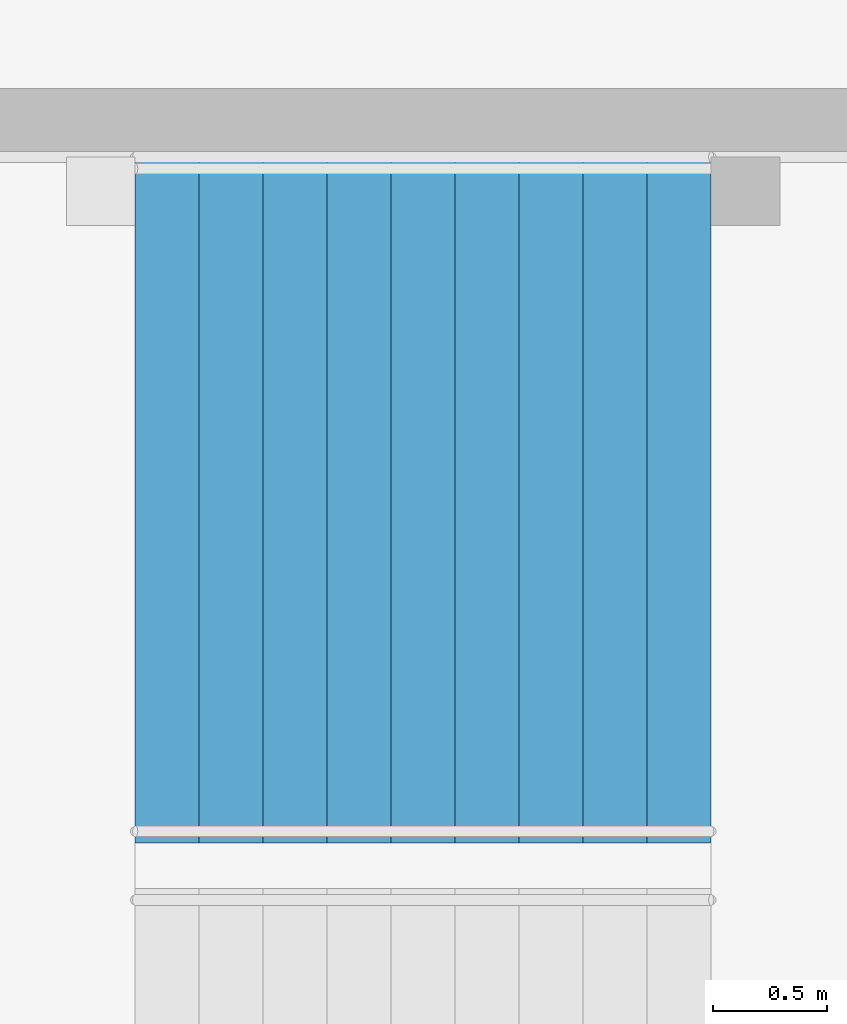
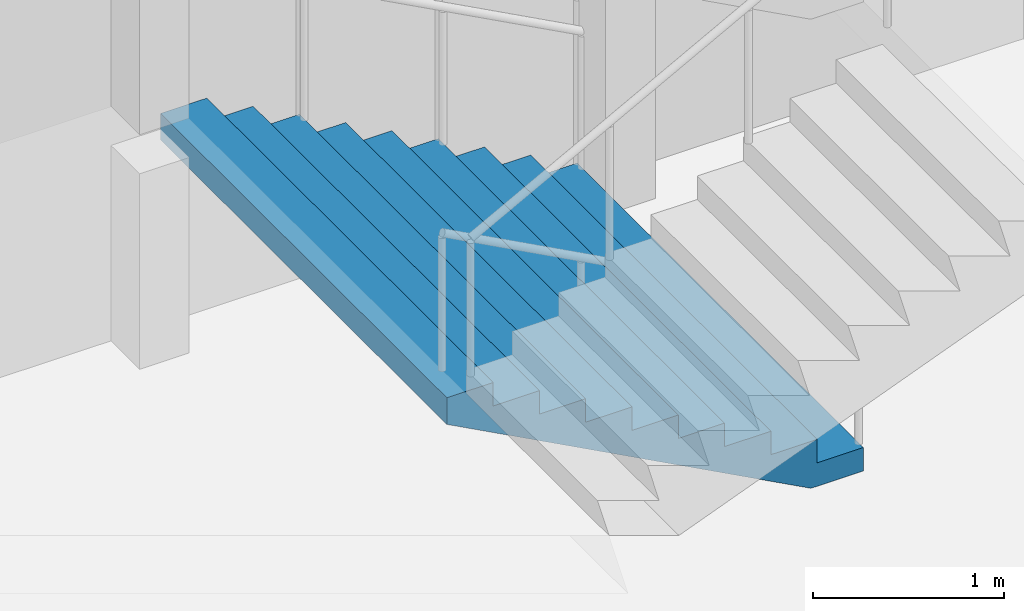
# One storey, part 82 of 100: 1 stair flight, 1 element without a shape of its own.
"""IFC4 building model written with IfcOpenShell, lengths in metres."""

from ifc_helpers import new_model, si_unit, direction, frame, origin, place, context, subcontext, project, spatial, triangles, material, type_object, element, aggregate, save


model = new_model("IFC4")

# Units and contexts
model_context = context("Model", 3, precision=1e-05, world=origin(), true_north=direction((0.0, 1.0)))
body_context = subcontext(model_context, "Body", "Model", "MODEL_VIEW")
ifc_project = project(units=[si_unit("LENGTHUNIT", "METRE"), si_unit("AREAUNIT", "SQUARE_METRE"), si_unit("VOLUMEUNIT", "CUBIC_METRE"), si_unit("PLANEANGLEUNIT", "RADIAN"), si_unit("MASSUNIT", "GRAM", prefix="KILO")], contexts=[model_context])

# Site, building, storey
site_placement = place(None, origin())
site = spatial("IfcSite", under=ifc_project, at=site_placement, CompositionType="ELEMENT")
building_placement = place(site_placement, origin())
building = spatial("IfcBuilding", under=site, at=building_placement, Name="Hakoniwa Tower and Hamabe Station Hall", CompositionType="ELEMENT")
storey_placement = place(building_placement, frame((0.0, 0.0, 9.0)))
storey = spatial("IfcBuildingStorey", under=building, at=storey_placement, Name="L02", CompositionType="ELEMENT", Elevation=9.0)

# Stair, stair flight
ifc_material_1 = material(Name="Concrete C40", Category="concrete")
stair_type = type_object("IfcStairType", Name="STAIR 3000 10X150", PredefinedType="HALF_TURN_STAIR", material=ifc_material_1)
stair_placement = place(storey_placement, origin())
stair = element("IfcStair", 1, at=stair_placement, inside=storey, type_object=stair_type, Name="Platform stair 1 L02-L03", PredefinedType="HALF_TURN_STAIR")
ifc_material_2 = material(Name="Concrete C40", Category="concrete")
stair_flight_type = type_object("IfcStairFlightType", Name="STAIR FLIGHT 3000", PredefinedType="STRAIGHT", material=ifc_material_2)
stair_flight_placement = place(storey_placement, frame((151.070068359375, -2.300048828125, 0.0), z_axis=(0.0, 0.0, 1.0), x_axis=(-1.0, 0.0, 0.0)))
stair_flight = element("IfcStairFlight", 2, at=stair_flight_placement, type_object=stair_flight_type, Name="PA1 flight 1", NumberOfRisers=10, NumberOfTreads=9, PredefinedType="STRAIGHT", RiserHeight=0.15, TreadLength=0.28, context=body_context, shape_type="Tessellation", body=[
    triangles([(0.0, 1.5, 0.0), (0.280029296875, 1.5, 0.0), (0.3173828125, 1.5, 0.0), (0.56005859375, 1.5, 0.1298828125), (0.840087890625, 1.5, 0.280029296875), (1.1201171875, 1.5, 0.429931640625), (1.39990234375, 1.5, 0.579833984375), (1.679931640625, 1.5, 0.72998046875), (1.9599609375, 1.5, 0.8798828125), (2.239990234375, 1.5, 1.030029296875), (2.52001953125, 1.5, 1.179931640625), (2.52001953125, 1.5, 1.35009765625), (2.239990234375, 1.5, 1.35009765625), (2.239990234375, 1.5, 1.199951171875), (1.9599609375, 1.5, 1.199951171875), (1.9599609375, 1.5, 1.050048828125), (1.679931640625, 1.5, 1.050048828125), (1.679931640625, 1.5, 0.89990234375), (1.39990234375, 1.5, 0.89990234375), (1.39990234375, 1.5, 0.75), (1.1201171875, 1.5, 0.75), (1.1201171875, 1.5, 0.60009765625), (0.840087890625, 1.5, 0.60009765625), (0.840087890625, 1.5, 0.449951171875), (0.56005859375, 1.5, 0.449951171875), (0.56005859375, 1.5, 0.300048828125), (0.3173828125, 1.5, 0.300048828125), (0.280029296875, 1.5, 0.300048828125), (0.280029296875, 1.5, 0.14990234375), (0.0, 1.5, 0.14990234375), (0.0, 0.06005859375, 0.0), (0.280029296875, 0.06005859375, 0.0), (0.3173828125, 0.06005859375, 0.0), (0.56005859375, 0.06005859375, 0.1298828125), (0.840087890625, 0.06005859375, 0.280029296875), (1.1201171875, 0.06005859375, 0.429931640625), (1.39990234375, 0.06005859375, 0.579833984375), (1.679931640625, 0.06005859375, 0.72998046875), (1.9599609375, 0.06005859375, 0.8798828125), (2.239990234375, 0.06005859375, 1.030029296875), (2.52001953125, 0.06005859375, 1.179931640625), (2.52001953125, 0.06005859375, 1.35009765625), (2.239990234375, 0.06005859375, 1.35009765625), (2.239990234375, 0.06005859375, 1.199951171875), (1.9599609375, 0.06005859375, 1.199951171875), (1.9599609375, 0.06005859375, 1.050048828125), (1.679931640625, 0.06005859375, 1.050048828125), (1.679931640625, 0.06005859375, 0.89990234375), (1.39990234375, 0.06005859375, 0.89990234375), (1.39990234375, 0.06005859375, 0.75), (1.1201171875, 0.06005859375, 0.75), (1.1201171875, 0.06005859375, 0.60009765625), (0.840087890625, 0.06005859375, 0.60009765625), (0.840087890625, 0.06005859375, 0.449951171875), (0.56005859375, 0.06005859375, 0.449951171875), (0.56005859375, 0.06005859375, 0.300048828125), (0.3173828125, 0.06005859375, 0.300048828125), (0.280029296875, 0.06005859375, 0.300048828125), (0.280029296875, 0.06005859375, 0.14990234375), (0.0, 0.06005859375, 0.14990234375), (0.0, 0.049072265625, 0.0), (0.280029296875, 0.049072265625, 0.0), (0.3173828125, 0.049072265625, 0.0), (0.56005859375, 0.049072265625, 0.1298828125), (0.840087890625, 0.049072265625, 0.280029296875), (1.1201171875, 0.049072265625, 0.429931640625), (1.39990234375, 0.049072265625, 0.579833984375), (1.679931640625, 0.049072265625, 0.72998046875), (1.9599609375, 0.049072265625, 0.8798828125), (2.239990234375, 0.049072265625, 1.030029296875), (2.52001953125, 0.049072265625, 1.179931640625), (2.52001953125, 0.049072265625, 1.35009765625), (2.239990234375, 0.049072265625, 1.35009765625), (2.239990234375, 0.049072265625, 1.199951171875), (1.9599609375, 0.049072265625, 1.199951171875), (1.9599609375, 0.049072265625, 1.050048828125), (1.679931640625, 0.049072265625, 1.050048828125), (1.679931640625, 0.049072265625, 0.89990234375), (1.39990234375, 0.049072265625, 0.89990234375), (1.39990234375, 0.049072265625, 0.75), (1.1201171875, 0.049072265625, 0.75), (1.1201171875, 0.049072265625, 0.60009765625), (0.840087890625, 0.049072265625, 0.60009765625), (0.840087890625, 0.049072265625, 0.449951171875), (0.56005859375, 0.049072265625, 0.449951171875), (0.56005859375, 0.049072265625, 0.300048828125), (0.3173828125, 0.049072265625, 0.300048828125), (0.280029296875, 0.049072265625, 0.300048828125), (0.280029296875, 0.049072265625, 0.14990234375), (0.0, 0.049072265625, 0.14990234375), (0.0, 0.0380859375, 0.0), (0.280029296875, 0.0380859375, 0.0), (0.3173828125, 0.0380859375, 0.0), (0.56005859375, 0.0380859375, 0.1298828125), (0.840087890625, 0.0380859375, 0.280029296875), (1.1201171875, 0.0380859375, 0.429931640625), (1.39990234375, 0.0380859375, 0.579833984375), (1.679931640625, 0.0380859375, 0.72998046875), (1.9599609375, 0.0380859375, 0.8798828125), (2.239990234375, 0.0380859375, 1.030029296875), (2.52001953125, 0.0380859375, 1.179931640625), (2.52001953125, 0.0380859375, 1.35009765625), (2.239990234375, 0.0380859375, 1.35009765625), (2.239990234375, 0.0380859375, 1.199951171875), (1.9599609375, 0.0380859375, 1.199951171875), (1.9599609375, 0.0380859375, 1.050048828125), (1.679931640625, 0.0380859375, 1.050048828125), (1.679931640625, 0.0380859375, 0.89990234375), (1.39990234375, 0.0380859375, 0.89990234375), (1.39990234375, 0.0380859375, 0.75), (1.1201171875, 0.0380859375, 0.75), (1.1201171875, 0.0380859375, 0.60009765625), (0.840087890625, 0.0380859375, 0.60009765625), (0.840087890625, 0.0380859375, 0.449951171875), (0.56005859375, 0.0380859375, 0.449951171875), (0.56005859375, 0.0380859375, 0.300048828125), (0.3173828125, 0.0380859375, 0.300048828125), (0.280029296875, 0.0380859375, 0.300048828125), (0.280029296875, 0.0380859375, 0.14990234375), (0.0, 0.0380859375, 0.14990234375), (0.0, 0.02734375, 0.0), (0.280029296875, 0.02734375, 0.0), (0.3173828125, 0.02734375, 0.0), (0.56005859375, 0.02734375, 0.1298828125), (0.840087890625, 0.02734375, 0.280029296875), (1.1201171875, 0.02734375, 0.429931640625), (1.39990234375, 0.02734375, 0.579833984375), (1.679931640625, 0.02734375, 0.72998046875), (1.9599609375, 0.02734375, 0.8798828125), (2.239990234375, 0.02734375, 1.030029296875), (2.52001953125, 0.02734375, 1.179931640625), (2.52001953125, 0.02734375, 1.35009765625), (2.239990234375, 0.02734375, 1.35009765625), (2.239990234375, 0.02734375, 1.199951171875), (1.9599609375, 0.02734375, 1.199951171875), (1.9599609375, 0.02734375, 1.050048828125), (1.679931640625, 0.02734375, 1.050048828125), (1.679931640625, 0.02734375, 0.89990234375), (1.39990234375, 0.02734375, 0.89990234375), (1.39990234375, 0.02734375, 0.75), (1.1201171875, 0.02734375, 0.75), (1.1201171875, 0.02734375, 0.60009765625), (0.840087890625, 0.02734375, 0.60009765625), (0.840087890625, 0.02734375, 0.449951171875), (0.56005859375, 0.02734375, 0.449951171875), (0.56005859375, 0.02734375, 0.300048828125), (0.3173828125, 0.02734375, 0.300048828125), (0.280029296875, 0.02734375, 0.300048828125), (0.280029296875, 0.02734375, 0.14990234375), (0.0, 0.02734375, 0.14990234375), (0.0, 0.016357421875, 0.0), (0.280029296875, 0.016357421875, 0.0), (0.3173828125, 0.016357421875, 0.0), (0.56005859375, 0.016357421875, 0.1298828125), (0.840087890625, 0.016357421875, 0.280029296875), (1.1201171875, 0.016357421875, 0.429931640625), (1.39990234375, 0.016357421875, 0.579833984375), (1.679931640625, 0.016357421875, 0.72998046875), (1.9599609375, 0.016357421875, 0.8798828125), (2.239990234375, 0.016357421875, 1.030029296875), (2.52001953125, 0.016357421875, 1.179931640625), (2.52001953125, 0.016357421875, 1.35009765625), (2.239990234375, 0.016357421875, 1.35009765625), (2.239990234375, 0.016357421875, 1.199951171875), (1.9599609375, 0.016357421875, 1.199951171875), (1.9599609375, 0.016357421875, 1.050048828125), (1.679931640625, 0.016357421875, 1.050048828125), (1.679931640625, 0.016357421875, 0.89990234375), (1.39990234375, 0.016357421875, 0.89990234375), (1.39990234375, 0.016357421875, 0.75), (1.1201171875, 0.016357421875, 0.75), (1.1201171875, 0.016357421875, 0.60009765625), (0.840087890625, 0.016357421875, 0.60009765625), (0.840087890625, 0.016357421875, 0.449951171875), (0.56005859375, 0.016357421875, 0.449951171875), (0.56005859375, 0.016357421875, 0.300048828125), (0.3173828125, 0.016357421875, 0.300048828125), (0.280029296875, 0.016357421875, 0.300048828125), (0.280029296875, 0.016357421875, 0.14990234375), (0.0, 0.016357421875, 0.14990234375), (0.0, 0.00537109375, 0.0), (0.280029296875, 0.00537109375, 0.0), (0.3173828125, 0.00537109375, 0.0), (0.56005859375, 0.00537109375, 0.1298828125), (0.840087890625, 0.00537109375, 0.280029296875), (1.1201171875, 0.00537109375, 0.429931640625), (1.39990234375, 0.00537109375, 0.579833984375), (1.679931640625, 0.00537109375, 0.72998046875), (1.9599609375, 0.00537109375, 0.8798828125), (2.239990234375, 0.00537109375, 1.030029296875), (2.52001953125, 0.00537109375, 1.179931640625), (2.52001953125, 0.00537109375, 1.35009765625), (2.239990234375, 0.00537109375, 1.35009765625), (2.239990234375, 0.00537109375, 1.199951171875), (1.9599609375, 0.00537109375, 1.199951171875), (1.9599609375, 0.00537109375, 1.050048828125), (1.679931640625, 0.00537109375, 1.050048828125), (1.679931640625, 0.00537109375, 0.89990234375), (1.39990234375, 0.00537109375, 0.89990234375), (1.39990234375, 0.00537109375, 0.75), (1.1201171875, 0.00537109375, 0.75), (1.1201171875, 0.00537109375, 0.60009765625), (0.840087890625, 0.00537109375, 0.60009765625), (0.840087890625, 0.00537109375, 0.449951171875), (0.56005859375, 0.00537109375, 0.449951171875), (0.56005859375, 0.00537109375, 0.300048828125), (0.3173828125, 0.00537109375, 0.300048828125), (0.280029296875, 0.00537109375, 0.300048828125), (0.280029296875, 0.00537109375, 0.14990234375), (0.0, 0.00537109375, 0.14990234375), (0.0, -0.00537109375, 0.0), (0.280029296875, -0.00537109375, 0.0), (0.3173828125, -0.00537109375, 0.0), (0.56005859375, -0.00537109375, 0.1298828125), (0.840087890625, -0.00537109375, 0.280029296875), (1.1201171875, -0.00537109375, 0.429931640625), (1.39990234375, -0.00537109375, 0.579833984375), (1.679931640625, -0.00537109375, 0.72998046875), (1.9599609375, -0.00537109375, 0.8798828125), (2.239990234375, -0.00537109375, 1.030029296875), (2.52001953125, -0.00537109375, 1.179931640625), (2.52001953125, -0.00537109375, 1.35009765625), (2.239990234375, -0.00537109375, 1.35009765625), (2.239990234375, -0.00537109375, 1.199951171875), (1.9599609375, -0.00537109375, 1.199951171875), (1.9599609375, -0.00537109375, 1.050048828125), (1.679931640625, -0.00537109375, 1.050048828125), (1.679931640625, -0.00537109375, 0.89990234375), (1.39990234375, -0.00537109375, 0.89990234375), (1.39990234375, -0.00537109375, 0.75), (1.1201171875, -0.00537109375, 0.75), (1.1201171875, -0.00537109375, 0.60009765625), (0.840087890625, -0.00537109375, 0.60009765625), (0.840087890625, -0.00537109375, 0.449951171875), (0.56005859375, -0.00537109375, 0.449951171875), (0.56005859375, -0.00537109375, 0.300048828125), (0.3173828125, -0.00537109375, 0.300048828125), (0.280029296875, -0.00537109375, 0.300048828125), (0.280029296875, -0.00537109375, 0.14990234375), (0.0, -0.00537109375, 0.14990234375), (0.0, -0.016357421875, 0.0), (0.280029296875, -0.016357421875, 0.0), (0.3173828125, -0.016357421875, 0.0), (0.56005859375, -0.016357421875, 0.1298828125), (0.840087890625, -0.016357421875, 0.280029296875), (1.1201171875, -0.016357421875, 0.429931640625), (1.39990234375, -0.016357421875, 0.579833984375), (1.679931640625, -0.016357421875, 0.72998046875), (1.9599609375, -0.016357421875, 0.8798828125), (2.239990234375, -0.016357421875, 1.030029296875), (2.52001953125, -0.016357421875, 1.179931640625), (2.52001953125, -0.016357421875, 1.35009765625), (2.239990234375, -0.016357421875, 1.35009765625), (2.239990234375, -0.016357421875, 1.199951171875), (1.9599609375, -0.016357421875, 1.199951171875), (1.9599609375, -0.016357421875, 1.050048828125), (1.679931640625, -0.016357421875, 1.050048828125), (1.679931640625, -0.016357421875, 0.89990234375), (1.39990234375, -0.016357421875, 0.89990234375), (1.39990234375, -0.016357421875, 0.75), (1.1201171875, -0.016357421875, 0.75), (1.1201171875, -0.016357421875, 0.60009765625), (0.840087890625, -0.016357421875, 0.60009765625), (0.840087890625, -0.016357421875, 0.449951171875), (0.56005859375, -0.016357421875, 0.449951171875), (0.56005859375, -0.016357421875, 0.300048828125), (0.3173828125, -0.016357421875, 0.300048828125), (0.280029296875, -0.016357421875, 0.300048828125), (0.280029296875, -0.016357421875, 0.14990234375), (0.0, -0.016357421875, 0.14990234375), (0.0, -0.02734375, 0.0), (0.280029296875, -0.02734375, 0.0), (0.3173828125, -0.02734375, 0.0), (0.56005859375, -0.02734375, 0.1298828125), (0.840087890625, -0.02734375, 0.280029296875), (1.1201171875, -0.02734375, 0.429931640625), (1.39990234375, -0.02734375, 0.579833984375), (1.679931640625, -0.02734375, 0.72998046875), (1.9599609375, -0.02734375, 0.8798828125), (2.239990234375, -0.02734375, 1.030029296875), (2.52001953125, -0.02734375, 1.179931640625), (2.52001953125, -0.02734375, 1.35009765625), (2.239990234375, -0.02734375, 1.35009765625), (2.239990234375, -0.02734375, 1.199951171875), (1.9599609375, -0.02734375, 1.199951171875), (1.9599609375, -0.02734375, 1.050048828125), (1.679931640625, -0.02734375, 1.050048828125), (1.679931640625, -0.02734375, 0.89990234375), (1.39990234375, -0.02734375, 0.89990234375), (1.39990234375, -0.02734375, 0.75), (1.1201171875, -0.02734375, 0.75), (1.1201171875, -0.02734375, 0.60009765625), (0.840087890625, -0.02734375, 0.60009765625), (0.840087890625, -0.02734375, 0.449951171875), (0.56005859375, -0.02734375, 0.449951171875), (0.56005859375, -0.02734375, 0.300048828125), (0.3173828125, -0.02734375, 0.300048828125), (0.280029296875, -0.02734375, 0.300048828125), (0.280029296875, -0.02734375, 0.14990234375), (0.0, -0.02734375, 0.14990234375), (0.0, -0.0380859375, 0.0), (0.280029296875, -0.0380859375, 0.0), (0.3173828125, -0.0380859375, 0.0), (0.56005859375, -0.0380859375, 0.1298828125), (0.840087890625, -0.0380859375, 0.280029296875), (1.1201171875, -0.0380859375, 0.429931640625), (1.39990234375, -0.0380859375, 0.579833984375), (1.679931640625, -0.0380859375, 0.72998046875), (1.9599609375, -0.0380859375, 0.8798828125), (2.239990234375, -0.0380859375, 1.030029296875), (2.52001953125, -0.0380859375, 1.179931640625), (2.52001953125, -0.0380859375, 1.35009765625), (2.239990234375, -0.0380859375, 1.35009765625), (2.239990234375, -0.0380859375, 1.199951171875), (1.9599609375, -0.0380859375, 1.199951171875), (1.9599609375, -0.0380859375, 1.050048828125), (1.679931640625, -0.0380859375, 1.050048828125), (1.679931640625, -0.0380859375, 0.89990234375), (1.39990234375, -0.0380859375, 0.89990234375), (1.39990234375, -0.0380859375, 0.75), (1.1201171875, -0.0380859375, 0.75), (1.1201171875, -0.0380859375, 0.60009765625), (0.840087890625, -0.0380859375, 0.60009765625), (0.840087890625, -0.0380859375, 0.449951171875), (0.56005859375, -0.0380859375, 0.449951171875), (0.56005859375, -0.0380859375, 0.300048828125), (0.3173828125, -0.0380859375, 0.300048828125), (0.280029296875, -0.0380859375, 0.300048828125), (0.280029296875, -0.0380859375, 0.14990234375), (0.0, -0.0380859375, 0.14990234375), (0.0, -0.049072265625, 0.0), (0.280029296875, -0.049072265625, 0.0), (0.3173828125, -0.049072265625, 0.0), (0.56005859375, -0.049072265625, 0.1298828125), (0.840087890625, -0.049072265625, 0.280029296875), (1.1201171875, -0.049072265625, 0.429931640625), (1.39990234375, -0.049072265625, 0.579833984375), (1.679931640625, -0.049072265625, 0.72998046875), (1.9599609375, -0.049072265625, 0.8798828125), (2.239990234375, -0.049072265625, 1.030029296875), (2.52001953125, -0.049072265625, 1.179931640625), (2.52001953125, -0.049072265625, 1.35009765625), (2.239990234375, -0.049072265625, 1.35009765625), (2.239990234375, -0.049072265625, 1.199951171875), (1.9599609375, -0.049072265625, 1.199951171875), (1.9599609375, -0.049072265625, 1.050048828125), (1.679931640625, -0.049072265625, 1.050048828125), (1.679931640625, -0.049072265625, 0.89990234375), (1.39990234375, -0.049072265625, 0.89990234375), (1.39990234375, -0.049072265625, 0.75), (1.1201171875, -0.049072265625, 0.75), (1.1201171875, -0.049072265625, 0.60009765625), (0.840087890625, -0.049072265625, 0.60009765625), (0.840087890625, -0.049072265625, 0.449951171875), (0.56005859375, -0.049072265625, 0.449951171875), (0.56005859375, -0.049072265625, 0.300048828125), (0.3173828125, -0.049072265625, 0.300048828125), (0.280029296875, -0.049072265625, 0.300048828125), (0.280029296875, -0.049072265625, 0.14990234375), (0.0, -0.049072265625, 0.14990234375), (0.0, -0.06005859375, 0.0), (0.280029296875, -0.06005859375, 0.0), (0.3173828125, -0.06005859375, 0.0), (0.56005859375, -0.06005859375, 0.1298828125), (0.840087890625, -0.06005859375, 0.280029296875), (1.1201171875, -0.06005859375, 0.429931640625), (1.39990234375, -0.06005859375, 0.579833984375), (1.679931640625, -0.06005859375, 0.72998046875), (1.9599609375, -0.06005859375, 0.8798828125), (2.239990234375, -0.06005859375, 1.030029296875), (2.52001953125, -0.06005859375, 1.179931640625), (2.52001953125, -0.06005859375, 1.35009765625), (2.239990234375, -0.06005859375, 1.35009765625), (2.239990234375, -0.06005859375, 1.199951171875), (1.9599609375, -0.06005859375, 1.199951171875), (1.9599609375, -0.06005859375, 1.050048828125), (1.679931640625, -0.06005859375, 1.050048828125), (1.679931640625, -0.06005859375, 0.89990234375), (1.39990234375, -0.06005859375, 0.89990234375), (1.39990234375, -0.06005859375, 0.75), (1.1201171875, -0.06005859375, 0.75), (1.1201171875, -0.06005859375, 0.60009765625), (0.840087890625, -0.06005859375, 0.60009765625), (0.840087890625, -0.06005859375, 0.449951171875), (0.56005859375, -0.06005859375, 0.449951171875), (0.56005859375, -0.06005859375, 0.300048828125), (0.3173828125, -0.06005859375, 0.300048828125), (0.280029296875, -0.06005859375, 0.300048828125), (0.280029296875, -0.06005859375, 0.14990234375), (0.0, -0.06005859375, 0.14990234375), (0.0, -1.5, 0.0), (0.280029296875, -1.5, 0.0), (0.3173828125, -1.5, 0.0), (0.56005859375, -1.5, 0.1298828125), (0.840087890625, -1.5, 0.280029296875), (1.1201171875, -1.5, 0.429931640625), (1.39990234375, -1.5, 0.579833984375), (1.679931640625, -1.5, 0.72998046875), (1.9599609375, -1.5, 0.8798828125), (2.239990234375, -1.5, 1.030029296875), (2.52001953125, -1.5, 1.179931640625), (2.52001953125, -1.5, 1.35009765625), (2.239990234375, -1.5, 1.35009765625), (2.239990234375, -1.5, 1.199951171875), (1.9599609375, -1.5, 1.199951171875), (1.9599609375, -1.5, 1.050048828125), (1.679931640625, -1.5, 1.050048828125), (1.679931640625, -1.5, 0.89990234375), (1.39990234375, -1.5, 0.89990234375), (1.39990234375, -1.5, 0.75), (1.1201171875, -1.5, 0.75), (1.1201171875, -1.5, 0.60009765625), (0.840087890625, -1.5, 0.60009765625), (0.840087890625, -1.5, 0.449951171875), (0.56005859375, -1.5, 0.449951171875), (0.56005859375, -1.5, 0.300048828125), (0.3173828125, -1.5, 0.300048828125), (0.280029296875, -1.5, 0.300048828125), (0.280029296875, -1.5, 0.14990234375), (0.0, -1.5, 0.14990234375)], [[2, 30, 29], [392, 419, 420], [2, 1, 30], [392, 420, 391], [3, 28, 27], [393, 417, 418], [3, 29, 28], [393, 418, 419], [3, 2, 29], [393, 419, 392], [4, 27, 26], [394, 416, 417], [4, 3, 27], [394, 417, 393], [5, 25, 24], [395, 414, 415], [5, 26, 25], [395, 415, 416], [5, 4, 26], [395, 416, 394], [6, 23, 22], [396, 412, 413], [6, 24, 23], [396, 413, 414], [6, 5, 24], [396, 414, 395], [7, 21, 20], [397, 410, 411], [7, 22, 21], [397, 411, 412], [7, 6, 22], [397, 412, 396], [8, 19, 18], [398, 408, 409], [8, 20, 19], [398, 409, 410], [8, 7, 20], [398, 410, 397], [9, 17, 16], [399, 406, 407], [9, 18, 17], [399, 407, 408], [9, 8, 18], [399, 408, 398], [10, 15, 14], [400, 404, 405], [10, 16, 15], [400, 405, 406], [10, 9, 16], [400, 406, 399], [11, 13, 12], [401, 402, 403], [11, 14, 13], [401, 403, 404], [11, 10, 14], [401, 404, 400], [1, 2, 32], [1, 32, 31], [31, 32, 62], [31, 62, 61], [61, 62, 92], [61, 92, 91], [91, 92, 122], [91, 122, 121], [121, 122, 152], [121, 152, 151], [151, 152, 182], [151, 182, 181], [181, 182, 212], [181, 212, 211], [211, 212, 242], [211, 242, 241], [241, 242, 272], [241, 272, 271], [271, 272, 302], [271, 302, 301], [301, 302, 332], [301, 332, 331], [331, 332, 362], [331, 362, 361], [361, 362, 392], [361, 392, 391], [2, 3, 33], [2, 33, 32], [32, 33, 63], [32, 63, 62], [62, 63, 93], [62, 93, 92], [92, 93, 123], [92, 123, 122], [122, 123, 153], [122, 153, 152], [152, 153, 183], [152, 183, 182], [182, 183, 213], [182, 213, 212], [212, 213, 243], [212, 243, 242], [242, 243, 273], [242, 273, 272], [272, 273, 303], [272, 303, 302], [302, 303, 333], [302, 333, 332], [332, 333, 363], [332, 363, 362], [362, 363, 393], [362, 393, 392], [3, 4, 34], [3, 34, 33], [33, 34, 64], [33, 64, 63], [63, 64, 94], [63, 94, 93], [93, 94, 124], [93, 124, 123], [123, 124, 154], [123, 154, 153], [153, 154, 184], [153, 184, 183], [183, 184, 214], [183, 214, 213], [213, 214, 244], [213, 244, 243], [243, 244, 274], [243, 274, 273], [273, 274, 304], [273, 304, 303], [303, 304, 334], [303, 334, 333], [333, 334, 364], [333, 364, 363], [363, 364, 394], [363, 394, 393], [4, 5, 35], [4, 35, 34], [34, 35, 65], [34, 65, 64], [64, 65, 95], [64, 95, 94], [94, 95, 125], [94, 125, 124], [124, 125, 155], [124, 155, 154], [154, 155, 185], [154, 185, 184], [184, 185, 215], [184, 215, 214], [214, 215, 245], [214, 245, 244], [244, 245, 275], [244, 275, 274], [274, 275, 305], [274, 305, 304], [304, 305, 335], [304, 335, 334], [334, 335, 365], [334, 365, 364], [364, 365, 395], [364, 395, 394], [5, 6, 36], [5, 36, 35], [35, 36, 66], [35, 66, 65], [65, 66, 96], [65, 96, 95], [95, 96, 126], [95, 126, 125], [125, 126, 156], [125, 156, 155], [155, 156, 186], [155, 186, 185], [185, 186, 216], [185, 216, 215], [215, 216, 246], [215, 246, 245], [245, 246, 276], [245, 276, 275], [275, 276, 306], [275, 306, 305], [305, 306, 336], [305, 336, 335], [335, 336, 366], [335, 366, 365], [365, 366, 396], [365, 396, 395], [6, 7, 37], [6, 37, 36], [36, 37, 67], [36, 67, 66], [66, 67, 97], [66, 97, 96], [96, 97, 127], [96, 127, 126], [126, 127, 157], [126, 157, 156], [156, 157, 187], [156, 187, 186], [186, 187, 217], [186, 217, 216], [216, 217, 247], [216, 247, 246], [246, 247, 277], [246, 277, 276], [276, 277, 307], [276, 307, 306], [306, 307, 337], [306, 337, 336], [336, 337, 367], [336, 367, 366], [366, 367, 397], [366, 397, 396], [7, 8, 38], [7, 38, 37], [37, 38, 68], [37, 68, 67], [67, 68, 98], [67, 98, 97], [97, 98, 128], [97, 128, 127], [127, 128, 158], [127, 158, 157], [157, 158, 188], [157, 188, 187], [187, 188, 218], [187, 218, 217], [217, 218, 248], [217, 248, 247], [247, 248, 278], [247, 278, 277], [277, 278, 308], [277, 308, 307], [307, 308, 338], [307, 338, 337], [337, 338, 368], [337, 368, 367], [367, 368, 398], [367, 398, 397], [8, 9, 39], [8, 39, 38], [38, 39, 69], [38, 69, 68], [68, 69, 99], [68, 99, 98], [98, 99, 129], [98, 129, 128], [128, 129, 159], [128, 159, 158], [158, 159, 189], [158, 189, 188], [188, 189, 219], [188, 219, 218], [218, 219, 249], [218, 249, 248], [248, 249, 279], [248, 279, 278], [278, 279, 309], [278, 309, 308], [308, 309, 339], [308, 339, 338], [338, 339, 369], [338, 369, 368], [368, 369, 399], [368, 399, 398], [9, 10, 40], [9, 40, 39], [39, 40, 70], [39, 70, 69], [69, 70, 100], [69, 100, 99], [99, 100, 130], [99, 130, 129], [129, 130, 160], [129, 160, 159], [159, 160, 190], [159, 190, 189], [189, 190, 220], [189, 220, 219], [219, 220, 250], [219, 250, 249], [249, 250, 280], [249, 280, 279], [279, 280, 310], [279, 310, 309], [309, 310, 340], [309, 340, 339], [339, 340, 370], [339, 370, 369], [369, 370, 400], [369, 400, 399], [10, 11, 41], [10, 41, 40], [40, 41, 71], [40, 71, 70], [70, 71, 101], [70, 101, 100], [100, 101, 131], [100, 131, 130], [130, 131, 161], [130, 161, 160], [160, 161, 191], [160, 191, 190], [190, 191, 221], [190, 221, 220], [220, 221, 251], [220, 251, 250], [250, 251, 281], [250, 281, 280], [280, 281, 311], [280, 311, 310], [310, 311, 341], [310, 341, 340], [340, 341, 371], [340, 371, 370], [370, 371, 401], [370, 401, 400], [11, 12, 42], [11, 42, 41], [41, 42, 72], [41, 72, 71], [71, 72, 102], [71, 102, 101], [101, 102, 132], [101, 132, 131], [131, 132, 162], [131, 162, 161], [161, 162, 192], [161, 192, 191], [191, 192, 222], [191, 222, 221], [221, 222, 252], [221, 252, 251], [251, 252, 282], [251, 282, 281], [281, 282, 312], [281, 312, 311], [311, 312, 342], [311, 342, 341], [341, 342, 372], [341, 372, 371], [371, 372, 402], [371, 402, 401], [12, 13, 43], [12, 43, 42], [42, 43, 73], [42, 73, 72], [72, 73, 103], [72, 103, 102], [102, 103, 133], [102, 133, 132], [132, 133, 163], [132, 163, 162], [162, 163, 193], [162, 193, 192], [192, 193, 223], [192, 223, 222], [222, 223, 253], [222, 253, 252], [252, 253, 283], [252, 283, 282], [282, 283, 313], [282, 313, 312], [312, 313, 343], [312, 343, 342], [342, 343, 373], [342, 373, 372], [372, 373, 403], [372, 403, 402], [13, 14, 44], [13, 44, 43], [43, 44, 74], [43, 74, 73], [73, 74, 104], [73, 104, 103], [103, 104, 134], [103, 134, 133], [133, 134, 164], [133, 164, 163], [163, 164, 194], [163, 194, 193], [193, 194, 224], [193, 224, 223], [223, 224, 254], [223, 254, 253], [253, 254, 284], [253, 284, 283], [283, 284, 314], [283, 314, 313], [313, 314, 344], [313, 344, 343], [343, 344, 374], [343, 374, 373], [373, 374, 404], [373, 404, 403], [14, 15, 45], [14, 45, 44], [44, 45, 75], [44, 75, 74], [74, 75, 105], [74, 105, 104], [104, 105, 135], [104, 135, 134], [134, 135, 165], [134, 165, 164], [164, 165, 195], [164, 195, 194], [194, 195, 225], [194, 225, 224], [224, 225, 255], [224, 255, 254], [254, 255, 285], [254, 285, 284], [284, 285, 315], [284, 315, 314], [314, 315, 345], [314, 345, 344], [344, 345, 375], [344, 375, 374], [374, 375, 405], [374, 405, 404], [15, 16, 46], [15, 46, 45], [45, 46, 76], [45, 76, 75], [75, 76, 106], [75, 106, 105], [105, 106, 136], [105, 136, 135], [135, 136, 166], [135, 166, 165], [165, 166, 196], [165, 196, 195], [195, 196, 226], [195, 226, 225], [225, 226, 256], [225, 256, 255], [255, 256, 286], [255, 286, 285], [285, 286, 316], [285, 316, 315], [315, 316, 346], [315, 346, 345], [345, 346, 376], [345, 376, 375], [375, 376, 406], [375, 406, 405], [16, 17, 47], [16, 47, 46], [46, 47, 77], [46, 77, 76], [76, 77, 107], [76, 107, 106], [106, 107, 137], [106, 137, 136], [136, 137, 167], [136, 167, 166], [166, 167, 197], [166, 197, 196], [196, 197, 227], [196, 227, 226], [226, 227, 257], [226, 257, 256], [256, 257, 287], [256, 287, 286], [286, 287, 317], [286, 317, 316], [316, 317, 347], [316, 347, 346], [346, 347, 377], [346, 377, 376], [376, 377, 407], [376, 407, 406], [17, 18, 48], [17, 48, 47], [47, 48, 78], [47, 78, 77], [77, 78, 108], [77, 108, 107], [107, 108, 138], [107, 138, 137], [137, 138, 168], [137, 168, 167], [167, 168, 198], [167, 198, 197], [197, 198, 228], [197, 228, 227], [227, 228, 258], [227, 258, 257], [257, 258, 288], [257, 288, 287], [287, 288, 318], [287, 318, 317], [317, 318, 348], [317, 348, 347], [347, 348, 378], [347, 378, 377], [377, 378, 408], [377, 408, 407], [18, 19, 49], [18, 49, 48], [48, 49, 79], [48, 79, 78], [78, 79, 109], [78, 109, 108], [108, 109, 139], [108, 139, 138], [138, 139, 169], [138, 169, 168], [168, 169, 199], [168, 199, 198], [198, 199, 229], [198, 229, 228], [228, 229, 259], [228, 259, 258], [258, 259, 289], [258, 289, 288], [288, 289, 319], [288, 319, 318], [318, 319, 349], [318, 349, 348], [348, 349, 379], [348, 379, 378], [378, 379, 409], [378, 409, 408], [19, 20, 50], [19, 50, 49], [49, 50, 80], [49, 80, 79], [79, 80, 110], [79, 110, 109], [109, 110, 140], [109, 140, 139], [139, 140, 170], [139, 170, 169], [169, 170, 200], [169, 200, 199], [199, 200, 230], [199, 230, 229], [229, 230, 260], [229, 260, 259], [259, 260, 290], [259, 290, 289], [289, 290, 320], [289, 320, 319], [319, 320, 350], [319, 350, 349], [349, 350, 380], [349, 380, 379], [379, 380, 410], [379, 410, 409], [20, 21, 51], [20, 51, 50], [50, 51, 81], [50, 81, 80], [80, 81, 111], [80, 111, 110], [110, 111, 141], [110, 141, 140], [140, 141, 171], [140, 171, 170], [170, 171, 201], [170, 201, 200], [200, 201, 231], [200, 231, 230], [230, 231, 261], [230, 261, 260], [260, 261, 291], [260, 291, 290], [290, 291, 321], [290, 321, 320], [320, 321, 351], [320, 351, 350], [350, 351, 381], [350, 381, 380], [380, 381, 411], [380, 411, 410], [21, 22, 52], [21, 52, 51], [51, 52, 82], [51, 82, 81], [81, 82, 112], [81, 112, 111], [111, 112, 142], [111, 142, 141], [141, 142, 172], [141, 172, 171], [171, 172, 202], [171, 202, 201], [201, 202, 232], [201, 232, 231], [231, 232, 262], [231, 262, 261], [261, 262, 292], [261, 292, 291], [291, 292, 322], [291, 322, 321], [321, 322, 352], [321, 352, 351], [351, 352, 382], [351, 382, 381], [381, 382, 412], [381, 412, 411], [22, 23, 53], [22, 53, 52], [52, 53, 83], [52, 83, 82], [82, 83, 113], [82, 113, 112], [112, 113, 143], [112, 143, 142], [142, 143, 173], [142, 173, 172], [172, 173, 203], [172, 203, 202], [202, 203, 233], [202, 233, 232], [232, 233, 263], [232, 263, 262], [262, 263, 293], [262, 293, 292], [292, 293, 323], [292, 323, 322], [322, 323, 353], [322, 353, 352], [352, 353, 383], [352, 383, 382], [382, 383, 413], [382, 413, 412], [23, 24, 54], [23, 54, 53], [53, 54, 84], [53, 84, 83], [83, 84, 114], [83, 114, 113], [113, 114, 144], [113, 144, 143], [143, 144, 174], [143, 174, 173], [173, 174, 204], [173, 204, 203], [203, 204, 234], [203, 234, 233], [233, 234, 264], [233, 264, 263], [263, 264, 294], [263, 294, 293], [293, 294, 324], [293, 324, 323], [323, 324, 354], [323, 354, 353], [353, 354, 384], [353, 384, 383], [383, 384, 414], [383, 414, 413], [24, 25, 55], [24, 55, 54], [54, 55, 85], [54, 85, 84], [84, 85, 115], [84, 115, 114], [114, 115, 145], [114, 145, 144], [144, 145, 175], [144, 175, 174], [174, 175, 205], [174, 205, 204], [204, 205, 235], [204, 235, 234], [234, 235, 265], [234, 265, 264], [264, 265, 295], [264, 295, 294], [294, 295, 325], [294, 325, 324], [324, 325, 355], [324, 355, 354], [354, 355, 385], [354, 385, 384], [384, 385, 415], [384, 415, 414], [25, 26, 56], [25, 56, 55], [55, 56, 86], [55, 86, 85], [85, 86, 116], [85, 116, 115], [115, 116, 146], [115, 146, 145], [145, 146, 176], [145, 176, 175], [175, 176, 206], [175, 206, 205], [205, 206, 236], [205, 236, 235], [235, 236, 266], [235, 266, 265], [265, 266, 296], [265, 296, 295], [295, 296, 326], [295, 326, 325], [325, 326, 356], [325, 356, 355], [355, 356, 386], [355, 386, 385], [385, 386, 416], [385, 416, 415], [26, 27, 57], [26, 57, 56], [56, 57, 87], [56, 87, 86], [86, 87, 117], [86, 117, 116], [116, 117, 147], [116, 147, 146], [146, 147, 177], [146, 177, 176], [176, 177, 207], [176, 207, 206], [206, 207, 237], [206, 237, 236], [236, 237, 267], [236, 267, 266], [266, 267, 297], [266, 297, 296], [296, 297, 327], [296, 327, 326], [326, 327, 357], [326, 357, 356], [356, 357, 387], [356, 387, 386], [386, 387, 417], [386, 417, 416], [27, 28, 58], [27, 58, 57], [57, 58, 88], [57, 88, 87], [87, 88, 118], [87, 118, 117], [117, 118, 148], [117, 148, 147], [147, 148, 178], [147, 178, 177], [177, 178, 208], [177, 208, 207], [207, 208, 238], [207, 238, 237], [237, 238, 268], [237, 268, 267], [267, 268, 298], [267, 298, 297], [297, 298, 328], [297, 328, 327], [327, 328, 358], [327, 358, 357], [357, 358, 388], [357, 388, 387], [387, 388, 418], [387, 418, 417], [28, 29, 59], [28, 59, 58], [58, 59, 89], [58, 89, 88], [88, 89, 119], [88, 119, 118], [118, 119, 149], [118, 149, 148], [148, 149, 179], [148, 179, 178], [178, 179, 209], [178, 209, 208], [208, 209, 239], [208, 239, 238], [238, 239, 269], [238, 269, 268], [268, 269, 299], [268, 299, 298], [298, 299, 329], [298, 329, 328], [328, 329, 359], [328, 359, 358], [358, 359, 389], [358, 389, 388], [388, 389, 419], [388, 419, 418], [29, 30, 60], [29, 60, 59], [59, 60, 90], [59, 90, 89], [89, 90, 120], [89, 120, 119], [119, 120, 150], [119, 150, 149], [149, 150, 180], [149, 180, 179], [179, 180, 210], [179, 210, 209], [209, 210, 240], [209, 240, 239], [239, 240, 270], [239, 270, 269], [269, 270, 300], [269, 300, 299], [299, 300, 330], [299, 330, 329], [329, 330, 360], [329, 360, 359], [359, 360, 390], [359, 390, 389], [389, 390, 420], [389, 420, 419], [30, 1, 31], [30, 31, 60], [60, 31, 61], [60, 61, 90], [90, 61, 91], [90, 91, 120], [120, 91, 121], [120, 121, 150], [150, 121, 151], [150, 151, 180], [180, 151, 181], [180, 181, 210], [210, 181, 211], [210, 211, 240], [240, 211, 241], [240, 241, 270], [270, 241, 271], [270, 271, 300], [300, 271, 301], [300, 301, 330], [330, 301, 331], [330, 331, 360], [360, 331, 361], [360, 361, 390], [390, 361, 391], [390, 391, 420]], closed=True),
])
aggregate(stair, [stair_flight])

save(model, "model.ifc")
